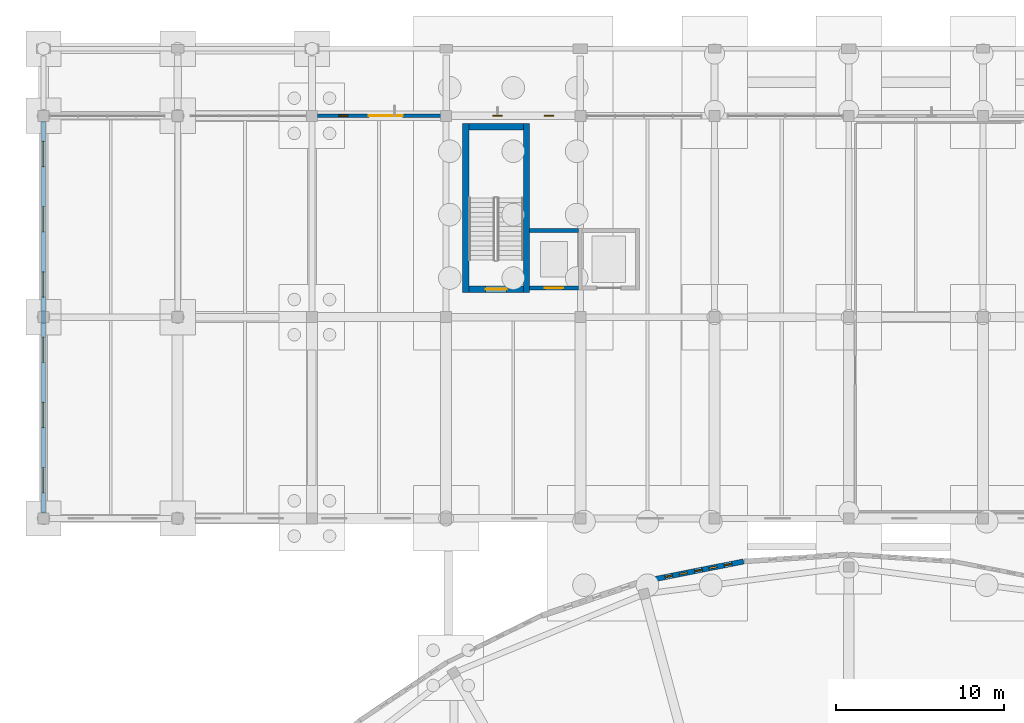
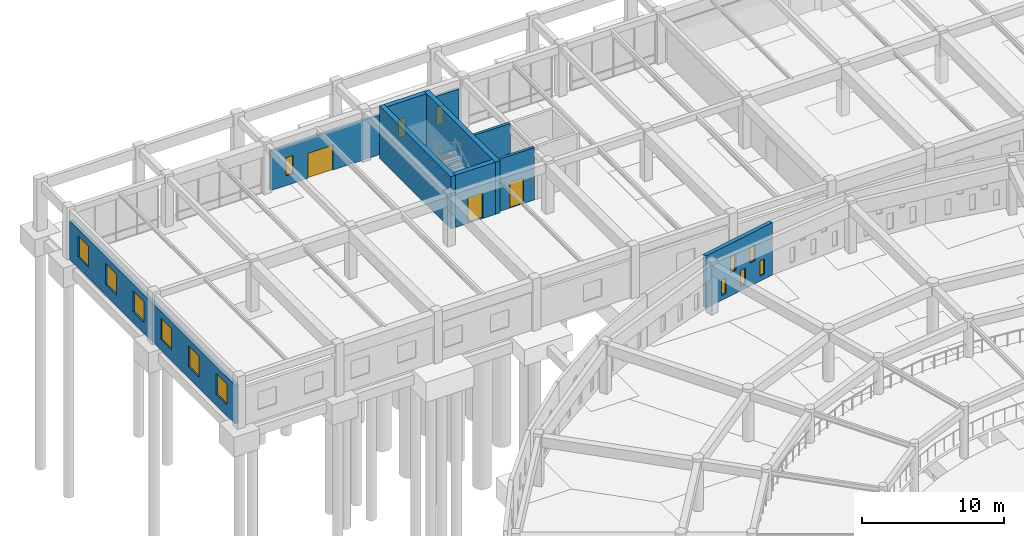
# One storey, part 52 of 84: 14 windows, 9 walls, 3 doors, 17 openings.
"""IFC4 building model written with IfcOpenShell, lengths in metres."""

import ifcopenshell
import ifcopenshell.guid

model = None  # the IFC model being written
_history = None  # IfcOwnerHistory: only IFC2X3 demands one
_inside = {}  # id of a spatial element -> (the spatial element, [elements in it])
_under = {}  # id of a project, library or spatial element -> (it, [spatial elements below it])
_declared = {}  # id of a project -> (the project, [libraries it declares])
_typed = {}  # id of a type object -> (the type object, [elements of that type])
_made_of = {}  # id of a material, layer set ... -> (it, [elements and type objects made of it])


def new_model(schema):
    """Start an empty IFC model of exactly this schema.

    Asked for "IFC4X3", IfcOpenShell would pick the latest addendum, in which some entities
    have other attributes; the version numbers below select the first issue.
    IFC2X3 requires an IfcOwnerHistory on every rooted entity: one is made here for all.
    """
    global model, _history
    if schema == "IFC4X3":
        model = ifcopenshell.file(schema_version=(4, 3, 0, 0))
    else:
        model = ifcopenshell.file(schema=schema)
    _inside.clear()
    _under.clear()
    _declared.clear()
    _typed.clear()
    _made_of.clear()
    _history = None
    if model.schema == "IFC2X3":
        org = make("IfcOrganization", Name="unknown")
        user = make(
            "IfcPersonAndOrganization",
            ThePerson=make("IfcPerson", FamilyName="unknown"),
            TheOrganization=org,
        )
        app = make(
            "IfcApplication",
            ApplicationDeveloper=org,
            Version="unknown",
            ApplicationFullName="unknown",
            ApplicationIdentifier="unknown",
        )
        _history = make(
            "IfcOwnerHistory",
            OwningUser=user,
            OwningApplication=app,
            ChangeAction="ADDED",
            CreationDate=0,
        )
    return model


def make(cls, **values):
    """One entity of the class cls with the attributes given. An attribute that is None is left unset."""
    return model.create_entity(
        cls, **{name: value for name, value in values.items() if value is not None}
    )


def rooted(cls, **values):
    """An entity with a GlobalId (a new one), such as an element, a storey or a relation."""
    return make(cls, GlobalId=ifcopenshell.guid.new(), OwnerHistory=_history, **values)


def si_unit(unit_type, name, prefix=None):
    """IfcSIUnit, for example si_unit("LENGTHUNIT", "METRE", prefix="MILLI")."""
    return make("IfcSIUnit", UnitType=unit_type, Prefix=prefix, Name=name)


def assignment(units):
    """IfcUnitAssignment: the units of a project."""
    return None if units is None else make("IfcUnitAssignment", Units=units)


def point(xyz):
    """IfcCartesianPoint."""
    return None if xyz is None else make("IfcCartesianPoint", Coordinates=xyz)


def direction(xyz):
    """IfcDirection."""
    return None if xyz is None else make("IfcDirection", DirectionRatios=xyz)


def frame(location, z_axis=None, x_axis=None):
    """IfcAxis2Placement3D, a coordinate frame: its origin and axes. An axis left out is left unset."""
    return make(
        "IfcAxis2Placement3D",
        Location=point(location),
        Axis=direction(z_axis),
        RefDirection=direction(x_axis),
    )


def frame_2d(location, x_axis=None):
    """IfcAxis2Placement2D, a coordinate frame in the plane: its origin and x axis."""
    return make(
        "IfcAxis2Placement2D", Location=point(location), RefDirection=direction(x_axis)
    )


def origin():
    """The frame at (0, 0, 0) with its axes left unset."""
    return frame((0.0, 0.0, 0.0))


def place(relative_to, where):
    """IfcLocalPlacement: puts the frame where relative to a parent placement (None: the world)."""
    return make(
        "IfcLocalPlacement", PlacementRelTo=relative_to, RelativePlacement=where
    )


def context(
    kind, dimensions, precision=None, world=None, true_north=None, identifier=None
):
    """IfcGeometricRepresentationContext, for example the 3D "Model" context."""
    return make(
        "IfcGeometricRepresentationContext",
        ContextIdentifier=identifier,
        ContextType=kind,
        CoordinateSpaceDimension=dimensions,
        Precision=precision,
        WorldCoordinateSystem=world,
        TrueNorth=true_north,
    )


def subcontext(parent, identifier, kind, view, scale=None):
    """IfcGeometricRepresentationSubContext, for example "Body" below "Model"."""
    return make(
        "IfcGeometricRepresentationSubContext",
        ContextIdentifier=identifier,
        ContextType=kind,
        ParentContext=parent,
        TargetScale=scale,
        TargetView=view,
    )


def project(units=None, contexts=None):
    """IfcProject with its units and contexts."""
    return rooted(
        "IfcProject",
        Name="project",
        RepresentationContexts=contexts,
        UnitsInContext=assignment(units),
    )


def spatial(cls, under=None, at=None, **own):
    """A site, building, storey or space (cls), placed at a placement, below another one or the project."""
    s = rooted(cls, ObjectPlacement=at, **own)
    if under is not None:
        _under.setdefault(under.id(), (under, []))[1].append(s)
    return s


def profile(cls, at=None, kind="AREA", **sizes):
    """A parametric profile (cls). Its sizes go by their IFC names, for example OverallWidth=200.0."""
    return make(cls, ProfileType=kind, Position=at, **sizes)


def rectangle(**sizes):
    """IfcRectangleProfileDef."""
    return profile("IfcRectangleProfileDef", **sizes)


def extrude(swept, where, along, depth):
    """IfcExtrudedAreaSolid: the profile swept, set in the frame where, extruded along a direction by depth."""
    return make(
        "IfcExtrudedAreaSolid",
        SweptArea=swept,
        Position=where,
        ExtrudedDirection=direction(along),
        Depth=depth,
    )


def shape(context_of_items, identifier, shape_type, items):
    """IfcShapeRepresentation: the items that make up one representation, for example the "Body"."""
    return make(
        "IfcShapeRepresentation",
        ContextOfItems=context_of_items,
        RepresentationIdentifier=identifier,
        RepresentationType=shape_type,
        Items=items,
    )


def material(Name=None, Category=None):
    """IfcMaterial."""
    return make("IfcMaterial", Name=Name, Category=Category)


def layer(
    of_material, thickness, ventilated=None, Name=None, Category=None, Priority=None
):
    """IfcMaterialLayer: one layer of a wall or slab, of a material (None: an air gap)."""
    return make(
        "IfcMaterialLayer",
        Material=of_material,
        LayerThickness=thickness,
        IsVentilated=ventilated,
        Name=Name,
        Category=Category,
        Priority=Priority,
    )


def layer_set(layers, Name=None):
    """IfcMaterialLayerSet."""
    return make("IfcMaterialLayerSet", MaterialLayers=layers, LayerSetName=Name)


def made_of(thing, what):
    """Note that an element or type object is made of a material, layer set ...; save() writes the relation."""
    if what is not None:
        _made_of.setdefault(what.id(), (what, []))[1].append(thing)
    return thing


def type_object(cls, material=None, **own):
    """A type object (cls), such as IfcWallType, which elements share."""
    return made_of(rooted(cls, **own), material)


def element(
    cls,
    number,
    at=None,
    inside=None,
    cuts=None,
    type_object=None,
    material=None,
    context=None,
    identifier="Body",
    shape_type=None,
    held_by="IfcProductDefinitionShape",
    body=None,
    shapes=None,
    **own,
):
    """One element of the class cls, such as IfcWall. Its Tag is "e" and its number.

    at: its placement. inside: the storey or other place that contains it. cuts: it is an
    opening in that element (IfcRelVoidsElement). A single representation is given by context,
    identifier, shape_type and body (its items); several are given by shapes. held_by: the class
    of the entity that holds the representations. save() writes the other relations.
    """
    e = rooted(cls, Tag="e%d" % number, ObjectPlacement=at, **own)
    if body is not None:
        shapes = [shape(context, identifier, shape_type, body)]
    if shapes is not None:
        e.Representation = make(held_by, Representations=shapes)
    if inside is not None:
        _inside.setdefault(inside.id(), (inside, []))[1].append(e)
    if cuts is not None:
        rooted(
            "IfcRelVoidsElement", RelatingBuildingElement=cuts, RelatedOpeningElement=e
        )
    if type_object is not None:
        _typed.setdefault(type_object.id(), (type_object, []))[1].append(e)
    return made_of(e, material)


def fill(opening, filler):
    """IfcRelFillsElement: the door or window that sits in an opening."""
    return rooted(
        "IfcRelFillsElement",
        RelatingOpeningElement=opening,
        RelatedBuildingElement=filler,
    )


def aggregate(whole, parts):
    """IfcRelAggregates: a whole, such as a stair, and the parts it consists of."""
    return rooted("IfcRelAggregates", RelatingObject=whole, RelatedObjects=parts)


def save(model, path):
    """Write the relations noted so far, then the file.

    IfcRelAggregates (storeys below a building ...), IfcRelContainedInSpatialStructure (elements
    in a storey), IfcRelDefinesByType, IfcRelAssociatesMaterial and IfcRelDeclares: one each for
    every whole, place, type object, material and project.
    """
    for whole, parts in _under.values():
        aggregate(whole, parts)
    for where, things in _inside.values():
        rooted(
            "IfcRelContainedInSpatialStructure",
            RelatedElements=things,
            RelatingStructure=where,
        )
    for kind, things in _typed.values():
        rooted("IfcRelDefinesByType", RelatedObjects=things, RelatingType=kind)
    for what, things in _made_of.values():
        rooted("IfcRelAssociatesMaterial", RelatedObjects=things, RelatingMaterial=what)
    for by, libraries in _declared.values():
        rooted("IfcRelDeclares", RelatingContext=by, RelatedDefinitions=libraries)
    model.write(path)


model = new_model("IFC4")

# Units and contexts
model_context = context("Model", 3, precision=1e-05, world=origin(), true_north=direction((0.0, 1.0)))
body_context = subcontext(model_context, "Body", "Model", "MODEL_VIEW")
ifc_project = project(units=[si_unit("LENGTHUNIT", "METRE"), si_unit("AREAUNIT", "SQUARE_METRE"), si_unit("VOLUMEUNIT", "CUBIC_METRE"), si_unit("PLANEANGLEUNIT", "RADIAN"), si_unit("MASSUNIT", "GRAM", prefix="KILO")], contexts=[model_context])

# Site, building, storey
site_placement = place(None, origin())
site = spatial("IfcSite", under=ifc_project, at=site_placement, CompositionType="ELEMENT")
building_placement = place(site_placement, origin())
building = spatial("IfcBuilding", under=site, at=building_placement, Name="Larkveld Mobility Hub", CompositionType="ELEMENT")
storey_placement = place(building_placement, origin())
storey = spatial("IfcBuildingStorey", under=building, at=storey_placement, Name="L00", CompositionType="ELEMENT", Elevation=0.0)

# Wall, openings, windows
ifc_material_1 = material(Name="Fired clay brick 25 MPa", Category="masonry")
ifc_layer_1 = layer(ifc_material_1, 0.31005859375, Name="Fired clay brick 25 MPa", Category="masonry")
ifc_layer_set_1 = layer_set([ifc_layer_1], Name="Fired clay brick 25 MPa")
wall_type_1 = type_object("IfcWallType", Name="WL-BRK-310", PredefinedType="USERDEFINED", material=ifc_layer_set_1)
wall_1_placement = place(storey_placement, frame((41.72998046875, 95.43603515625, 0.0), z_axis=(0.0, 0.0, 1.0), x_axis=(-0.980799338869, -0.195019632022, 0.0)))
wall_1 = element("IfcWall", 1, at=wall_1_placement, inside=storey, type_object=wall_type_1, Name="Drum Woven Open-Bond Brick Chord L00-0012", ObjectType="PERFORATED BRICK SCREEN", PredefinedType="USERDEFINED", context=body_context, shape_type="SweptSolid", body=[
    extrude(rectangle(XDim=6.209228515625, YDim=0.31005859375, at=frame_2d((3.1044921875, 0.0))), origin(), (0.0, 0.0, 1.0), 4.5),
])
opening_1_placement = place(wall_1_placement, frame((0.719970703125, 0.0, 0.419921875)))
opening_1 = element("IfcOpeningElement", 2, at=opening_1_placement, cuts=wall_1, Name="Opening W02", PredefinedType="OPENING", context=body_context, shape_type="SweptSolid", body=[
    extrude(rectangle(XDim=0.449951171875, YDim=1.320068359375, at=frame_2d((0.22509765625, 0.66015625))), frame((0.0, 0.1650390625, 0.0), z_axis=(0.0, -1.0, 0.0), x_axis=(1.0, 0.0, 0.0)), (0.0, 0.0, 1.0), 0.330078125),
])
opening_2_placement = place(wall_1_placement, frame((2.52001953125, 0.0, 0.419921875)))
opening_2 = element("IfcOpeningElement", 3, at=opening_2_placement, cuts=wall_1, Name="Opening W02", PredefinedType="OPENING", context=body_context, shape_type="SweptSolid", body=[
    extrude(rectangle(XDim=0.449951171875, YDim=1.320068359375, at=frame_2d((0.22509765625, 0.66015625))), frame((0.0, 0.1650390625, 0.0), z_axis=(0.0, -1.0, 0.0), x_axis=(1.0, 0.0, 0.0)), (0.0, 0.0, 1.0), 0.330078125),
])
opening_3_placement = place(wall_1_placement, frame((4.320068359375, 0.0, 0.419921875)))
opening_3 = element("IfcOpeningElement", 4, at=opening_3_placement, cuts=wall_1, Name="Opening W02", PredefinedType="OPENING", context=body_context, shape_type="SweptSolid", body=[
    extrude(rectangle(XDim=0.449951171875, YDim=1.320068359375, at=frame_2d((0.22509765625, 0.66015625))), frame((0.0, 0.1650390625, 0.0), z_axis=(0.0, -1.0, 0.0), x_axis=(1.0, 0.0, 0.0)), (0.0, 0.0, 1.0), 0.330078125),
])
opening_4_placement = place(wall_1_placement, frame((1.6201171875, 0.0, 1.97998046875)))
opening_4 = element("IfcOpeningElement", 5, at=opening_4_placement, cuts=wall_1, Name="Opening W03", PredefinedType="OPENING", context=body_context, shape_type="SweptSolid", body=[
    extrude(rectangle(XDim=0.47998046875, YDim=1.360107421875, at=frame_2d((0.239990234375, 0.68017578125))), frame((0.0, 0.1650390625, 0.0), z_axis=(0.0, -1.0, 0.0), x_axis=(1.0, 0.0, 0.0)), (0.0, 0.0, 1.0), 0.330078125),
])
opening_5_placement = place(wall_1_placement, frame((3.419921875, 0.0, 1.97998046875)))
opening_5 = element("IfcOpeningElement", 6, at=opening_5_placement, cuts=wall_1, Name="Opening W03", PredefinedType="OPENING", context=body_context, shape_type="SweptSolid", body=[
    extrude(rectangle(XDim=0.47998046875, YDim=1.360107421875, at=frame_2d((0.239990234375, 0.68017578125))), frame((0.0, 0.1650390625, 0.0), z_axis=(0.0, -1.0, 0.0), x_axis=(1.0, 0.0, 0.0)), (0.0, 0.0, 1.0), 0.330078125),
])
ifc_material_2 = material(Name="Extruded aluminium ventilation grille", Category="aluminium")
window_type_1 = type_object("IfcWindowType", Name="WN-VENT-02", PartitioningType="SINGLE_PANEL", PredefinedType="WINDOW", material=ifc_material_2)
window_1_placement = place(opening_1_placement, origin())
window_1 = element("IfcWindow", 7, at=window_1_placement, inside=storey, type_object=window_type_1, Name="Window W02 (0056)", OverallHeight=1.320068359375, OverallWidth=0.449951171875, PartitioningType="SINGLE_PANEL", PredefinedType="WINDOW", context=body_context, shape_type="SweptSolid", body=[
    extrude(rectangle(XDim=0.449951171875, YDim=1.320068359375, at=frame_2d((0.22509765625, 0.66015625))), frame((0.0, 0.030029296875, 0.0), z_axis=(0.0, -1.0, 0.0), x_axis=(1.0, 0.0, 0.0)), (0.0, 0.0, 1.0), 0.06005859375),
])
fill(opening_1, window_1)
window_2_placement = place(opening_2_placement, origin())
window_2 = element("IfcWindow", 8, at=window_2_placement, inside=storey, type_object=window_type_1, Name="Window W02 (0057)", OverallHeight=1.320068359375, OverallWidth=0.449951171875, PartitioningType="SINGLE_PANEL", PredefinedType="WINDOW", context=body_context, shape_type="SweptSolid", body=[
    extrude(rectangle(XDim=0.449951171875, YDim=1.320068359375, at=frame_2d((0.22509765625, 0.66015625))), frame((0.0, 0.030029296875, 0.0), z_axis=(0.0, -1.0, 0.0), x_axis=(1.0, 0.0, 0.0)), (0.0, 0.0, 1.0), 0.06005859375),
])
fill(opening_2, window_2)
window_3_placement = place(opening_3_placement, origin())
window_3 = element("IfcWindow", 9, at=window_3_placement, inside=storey, type_object=window_type_1, Name="Window W02 (0058)", OverallHeight=1.320068359375, OverallWidth=0.449951171875, PartitioningType="SINGLE_PANEL", PredefinedType="WINDOW", context=body_context, shape_type="SweptSolid", body=[
    extrude(rectangle(XDim=0.449951171875, YDim=1.320068359375, at=frame_2d((0.22509765625, 0.66015625))), frame((0.0, 0.030029296875, 0.0), z_axis=(0.0, -1.0, 0.0), x_axis=(1.0, 0.0, 0.0)), (0.0, 0.0, 1.0), 0.06005859375),
])
fill(opening_3, window_3)
window_type_2 = type_object("IfcWindowType", Name="WN-VENT-03", PartitioningType="SINGLE_PANEL", PredefinedType="WINDOW", material=ifc_material_2)
window_4_placement = place(opening_4_placement, origin())
window_4 = element("IfcWindow", 10, at=window_4_placement, inside=storey, type_object=window_type_2, Name="Window W03 (0059)", OverallHeight=1.360107421875, OverallWidth=0.47998046875, PartitioningType="SINGLE_PANEL", PredefinedType="WINDOW", context=body_context, shape_type="SweptSolid", body=[
    extrude(rectangle(XDim=0.47998046875, YDim=1.360107421875, at=frame_2d((0.239990234375, 0.68017578125))), frame((0.0, 0.030029296875, 0.0), z_axis=(0.0, -1.0, 0.0), x_axis=(1.0, 0.0, 0.0)), (0.0, 0.0, 1.0), 0.06005859375),
])
fill(opening_4, window_4)
window_5_placement = place(opening_5_placement, origin())
window_5 = element("IfcWindow", 11, at=window_5_placement, inside=storey, type_object=window_type_2, Name="Window W03 (0060)", OverallHeight=1.360107421875, OverallWidth=0.47998046875, PartitioningType="SINGLE_PANEL", PredefinedType="WINDOW", context=body_context, shape_type="SweptSolid", body=[
    extrude(rectangle(XDim=0.47998046875, YDim=1.360107421875, at=frame_2d((0.239990234375, 0.68017578125))), frame((0.0, 0.030029296875, 0.0), z_axis=(0.0, -1.0, 0.0), x_axis=(1.0, 0.0, 0.0)), (0.0, 0.0, 1.0), 0.06005859375),
])
fill(opening_5, window_5)

# Wall, openings, door, windows
ifc_material_3 = material(Name="Glazed architectural ceramic masonry 20 MPa", Category="masonry")
ifc_layer_2 = layer(ifc_material_3, 0.2099609375, Name="Glazed architectural ceramic masonry 20 MPa", Category="masonry")
ifc_layer_set_2 = layer_set([ifc_layer_2], Name="Glazed architectural ceramic masonry 20 MPa")
wall_type_2 = type_object("IfcWallType", Name="WL-COB-210", PredefinedType="USERDEFINED", material=ifc_layer_set_2)
wall_2_placement = place(storey_placement, frame((31.6650390625, 122.0, 0.0), z_axis=(0.0, 0.0, 1.0), x_axis=(-1.0, 0.0, 0.0)))
wall_2 = element("IfcWall", 12, at=wall_2_placement, inside=storey, type_object=wall_type_2, Name="Bicycle Hall Ceramic Cobogo Screen L00-0181", ObjectType="CERAMIC COBOGO SCREEN", PredefinedType="USERDEFINED", context=body_context, shape_type="SweptSolid", body=[
    extrude(rectangle(XDim=15.330078125, YDim=0.2099609375, at=frame_2d((7.6650390625, 0.0))), origin(), (0.0, 0.0, 1.0), 3.39501953125),
])
opening_6_placement = place(wall_2_placement, frame((10.264892578125, 0.0, 0.0)))
opening_6 = element("IfcOpeningElement", 13, at=opening_6_placement, cuts=wall_2, Name="Opening ED02", PredefinedType="OPENING", context=body_context, shape_type="SweptSolid", body=[
    extrude(rectangle(XDim=2.0, YDim=2.14990234375, at=frame_2d((1.0, 1.074951171875))), frame((0.0, 0.114990234375, 0.0), z_axis=(0.0, -1.0, 0.0), x_axis=(1.0, 0.0, 0.0)), (0.0, 0.0, 1.0), 0.22998046875),
])
opening_7_placement = place(wall_2_placement, frame((1.2529296875, 0.0, 0.85009765625)))
opening_7 = element("IfcOpeningElement", 14, at=opening_7_placement, cuts=wall_2, Name="Opening W04", PredefinedType="OPENING", context=body_context, shape_type="SweptSolid", body=[
    extrude(rectangle(XDim=0.56005859375, YDim=1.550048828125, at=frame_2d((0.280029296875, 0.77490234375))), frame((0.0, 0.114990234375, 0.0), z_axis=(0.0, -1.0, 0.0), x_axis=(1.0, 0.0, 0.0)), (0.0, 0.0, 1.0), 0.22998046875),
])
opening_8_placement = place(wall_2_placement, frame((4.319091796875, 0.0, 0.85009765625)))
opening_8 = element("IfcOpeningElement", 15, at=opening_8_placement, cuts=wall_2, Name="Opening W04", PredefinedType="OPENING", context=body_context, shape_type="SweptSolid", body=[
    extrude(rectangle(XDim=0.56005859375, YDim=1.550048828125, at=frame_2d((0.280029296875, 0.77490234375))), frame((0.0, 0.114990234375, 0.0), z_axis=(0.0, -1.0, 0.0), x_axis=(1.0, 0.0, 0.0)), (0.0, 0.0, 1.0), 0.22998046875),
])
opening_9_placement = place(wall_2_placement, frame((13.51708984375, 0.0, 0.85009765625)))
opening_9 = element("IfcOpeningElement", 16, at=opening_9_placement, cuts=wall_2, Name="Opening W04", PredefinedType="OPENING", context=body_context, shape_type="SweptSolid", body=[
    extrude(rectangle(XDim=0.56005859375, YDim=1.550048828125, at=frame_2d((0.280029296875, 0.77490234375))), frame((0.0, 0.114990234375, 0.0), z_axis=(0.0, -1.0, 0.0), x_axis=(1.0, 0.0, 0.0)), (0.0, 0.0, 1.0), 0.22998046875),
])
ifc_material_4 = material(Name="Anodised aluminium glazed entrance door", Category="aluminium")
door_type_1 = type_object("IfcDoorType", Name="DR-EXT-DB20", OperationType="DOUBLE_DOOR_SINGLE_SWING", PredefinedType="DOOR", material=ifc_material_4)
door_1_placement = place(opening_6_placement, origin())
door_1 = element("IfcDoor", 17, at=door_1_placement, inside=storey, type_object=door_type_1, Name="North Colonnade Cycle Hall Entrance EDR-L00-012", OperationType="DOUBLE_DOOR_SINGLE_SWING", OverallHeight=2.14990234375, OverallWidth=2.0, PredefinedType="DOOR", context=body_context, shape_type="SweptSolid", body=[
    extrude(rectangle(XDim=2.0, YDim=2.14990234375, at=frame_2d((1.0, 1.074951171875))), frame((0.0, 0.02490234375, 0.0), z_axis=(0.0, -1.0, 0.0), x_axis=(1.0, 0.0, 0.0)), (0.0, 0.0, 1.0), 0.050048828125),
])
fill(opening_6, door_1)
ifc_material_5 = material(Name="Extruded aluminium cobogo vent frame", Category="aluminium")
window_type_3 = type_object("IfcWindowType", Name="WN-VENT-04", PartitioningType="SINGLE_PANEL", PredefinedType="WINDOW", material=ifc_material_5)
window_6_placement = place(opening_7_placement, origin())
window_6 = element("IfcWindow", 18, at=window_6_placement, inside=storey, type_object=window_type_3, Name="Window W04 (0837)", OverallHeight=1.550048828125, OverallWidth=0.56005859375, PartitioningType="SINGLE_PANEL", PredefinedType="WINDOW", context=body_context, shape_type="SweptSolid", body=[
    extrude(rectangle(XDim=0.56005859375, YDim=1.550048828125, at=frame_2d((0.280029296875, 0.77490234375))), frame((0.0, 0.030029296875, 0.0), z_axis=(0.0, -1.0, 0.0), x_axis=(1.0, 0.0, 0.0)), (0.0, 0.0, 1.0), 0.06005859375),
])
fill(opening_7, window_6)
window_7_placement = place(opening_8_placement, origin())
window_7 = element("IfcWindow", 19, at=window_7_placement, inside=storey, type_object=window_type_3, Name="Window W04 (0838)", OverallHeight=1.550048828125, OverallWidth=0.56005859375, PartitioningType="SINGLE_PANEL", PredefinedType="WINDOW", context=body_context, shape_type="SweptSolid", body=[
    extrude(rectangle(XDim=0.56005859375, YDim=1.550048828125, at=frame_2d((0.280029296875, 0.77490234375))), frame((0.0, 0.030029296875, 0.0), z_axis=(0.0, -1.0, 0.0), x_axis=(1.0, 0.0, 0.0)), (0.0, 0.0, 1.0), 0.06005859375),
])
fill(opening_8, window_7)
window_8_placement = place(opening_9_placement, origin())
window_8 = element("IfcWindow", 20, at=window_8_placement, inside=storey, type_object=window_type_3, Name="Window W04 (0839)", OverallHeight=1.550048828125, OverallWidth=0.56005859375, PartitioningType="SINGLE_PANEL", PredefinedType="WINDOW", context=body_context, shape_type="SweptSolid", body=[
    extrude(rectangle(XDim=0.56005859375, YDim=1.550048828125, at=frame_2d((0.280029296875, 0.77490234375))), frame((0.0, 0.030029296875, 0.0), z_axis=(0.0, -1.0, 0.0), x_axis=(1.0, 0.0, 0.0)), (0.0, 0.0, 1.0), 0.06005859375),
])
fill(opening_9, window_8)

# Wall, openings, windows
ifc_material_6 = material(Name="Precast concrete C50/60", Category="concrete")
ifc_layer_3 = layer(ifc_material_6, 0.27001953125, Name="Precast concrete C50/60", Category="concrete")
ifc_layer_set_3 = layer_set([ifc_layer_3], Name="Precast concrete C50/60")
wall_type_3 = type_object("IfcWallType", Name="WL-EXT-270", PredefinedType="SOLIDWALL", material=ifc_layer_set_3)
wall_3_placement = place(storey_placement, frame((0.0, 121.6650390625, 0.0), z_axis=(0.0, 0.0, 1.0), x_axis=(0.0, -1.0, 0.0)))
wall_3 = element("IfcWall", 21, at=wall_3_placement, inside=storey, type_object=wall_type_3, Name="Bicycle Hall West End Wall L00-0185", PredefinedType="SOLIDWALL", context=body_context, shape_type="SweptSolid", body=[
    extrude(rectangle(XDim=23.330078125, YDim=0.27001953125, at=frame_2d((11.6650390625, 0.0))), origin(), (0.0, 0.0, 1.0), 3.344970703125),
])
opening_10_placement = place(wall_3_placement, frame((1.194091796875, 0.0, 0.949951171875)))
opening_10 = element("IfcOpeningElement", 22, at=opening_10_placement, cuts=wall_3, Name="Opening W11", PredefinedType="OPENING", context=body_context, shape_type="SweptSolid", body=[
    extrude(rectangle(XDim=1.5, YDim=1.800048828125, at=frame_2d((0.75, 0.89990234375))), frame((0.0, 0.14501953125, 0.0), z_axis=(0.0, -1.0, 0.0), x_axis=(1.0, 0.0, 0.0)), (0.0, 0.0, 1.0), 0.2900390625),
])
opening_11_placement = place(wall_3_placement, frame((5.0830078125, 0.0, 0.949951171875)))
opening_11 = element("IfcOpeningElement", 23, at=opening_11_placement, cuts=wall_3, Name="Opening W11", PredefinedType="OPENING", context=body_context, shape_type="SweptSolid", body=[
    extrude(rectangle(XDim=1.5, YDim=1.800048828125, at=frame_2d((0.75, 0.89990234375))), frame((0.0, 0.14501953125, 0.0), z_axis=(0.0, -1.0, 0.0), x_axis=(1.0, 0.0, 0.0)), (0.0, 0.0, 1.0), 0.2900390625),
])
opening_12_placement = place(wall_3_placement, frame((8.970947265625, 0.0, 0.949951171875)))
opening_12 = element("IfcOpeningElement", 24, at=opening_12_placement, cuts=wall_3, Name="Opening W11", PredefinedType="OPENING", context=body_context, shape_type="SweptSolid", body=[
    extrude(rectangle(XDim=1.5, YDim=1.800048828125, at=frame_2d((0.75, 0.89990234375))), frame((0.0, 0.14501953125, 0.0), z_axis=(0.0, -1.0, 0.0), x_axis=(1.0, 0.0, 0.0)), (0.0, 0.0, 1.0), 0.2900390625),
])
opening_13_placement = place(wall_3_placement, frame((12.85888671875, 0.0, 0.949951171875)))
opening_13 = element("IfcOpeningElement", 25, at=opening_13_placement, cuts=wall_3, Name="Opening W11", PredefinedType="OPENING", context=body_context, shape_type="SweptSolid", body=[
    extrude(rectangle(XDim=1.5, YDim=1.800048828125, at=frame_2d((0.75, 0.89990234375))), frame((0.0, 0.14501953125, 0.0), z_axis=(0.0, -1.0, 0.0), x_axis=(1.0, 0.0, 0.0)), (0.0, 0.0, 1.0), 0.2900390625),
])
opening_14_placement = place(wall_3_placement, frame((16.748046875, 0.0, 0.949951171875)))
opening_14 = element("IfcOpeningElement", 26, at=opening_14_placement, cuts=wall_3, Name="Opening W11", PredefinedType="OPENING", context=body_context, shape_type="SweptSolid", body=[
    extrude(rectangle(XDim=1.5, YDim=1.800048828125, at=frame_2d((0.75, 0.89990234375))), frame((0.0, 0.14501953125, 0.0), z_axis=(0.0, -1.0, 0.0), x_axis=(1.0, 0.0, 0.0)), (0.0, 0.0, 1.0), 0.2900390625),
])
opening_15_placement = place(wall_3_placement, frame((20.635986328125, 0.0, 0.949951171875)))
opening_15 = element("IfcOpeningElement", 27, at=opening_15_placement, cuts=wall_3, Name="Opening W11", PredefinedType="OPENING", context=body_context, shape_type="SweptSolid", body=[
    extrude(rectangle(XDim=1.5, YDim=1.800048828125, at=frame_2d((0.75, 0.89990234375))), frame((0.0, 0.14501953125, 0.0), z_axis=(0.0, -1.0, 0.0), x_axis=(1.0, 0.0, 0.0)), (0.0, 0.0, 1.0), 0.2900390625),
])
ifc_material_7 = material(Name="Low-E double glazing in aluminium frame", Category="aluminium")
window_type_4 = type_object("IfcWindowType", Name="WN-ALU-11", PartitioningType="SINGLE_PANEL", PredefinedType="WINDOW", material=ifc_material_7)
window_9_placement = place(opening_10_placement, origin())
window_9 = element("IfcWindow", 28, at=window_9_placement, inside=storey, type_object=window_type_4, Name="Window W11 (0863)", OverallHeight=1.800048828125, OverallWidth=1.5, PartitioningType="SINGLE_PANEL", PredefinedType="WINDOW", context=body_context, shape_type="SweptSolid", body=[
    extrude(rectangle(XDim=1.5, YDim=1.800048828125, at=frame_2d((0.75, 0.89990234375))), frame((0.0, 0.030029296875, 0.0), z_axis=(0.0, -1.0, 0.0), x_axis=(1.0, 0.0, 0.0)), (0.0, 0.0, 1.0), 0.06005859375),
])
fill(opening_10, window_9)
window_10_placement = place(opening_11_placement, origin())
window_10 = element("IfcWindow", 29, at=window_10_placement, inside=storey, type_object=window_type_4, Name="Window W11 (0864)", OverallHeight=1.800048828125, OverallWidth=1.5, PartitioningType="SINGLE_PANEL", PredefinedType="WINDOW", context=body_context, shape_type="SweptSolid", body=[
    extrude(rectangle(XDim=1.5, YDim=1.800048828125, at=frame_2d((0.75, 0.89990234375))), frame((0.0, 0.030029296875, 0.0), z_axis=(0.0, -1.0, 0.0), x_axis=(1.0, 0.0, 0.0)), (0.0, 0.0, 1.0), 0.06005859375),
])
fill(opening_11, window_10)
window_11_placement = place(opening_12_placement, origin())
window_11 = element("IfcWindow", 30, at=window_11_placement, inside=storey, type_object=window_type_4, Name="Window W11 (0865)", OverallHeight=1.800048828125, OverallWidth=1.5, PartitioningType="SINGLE_PANEL", PredefinedType="WINDOW", context=body_context, shape_type="SweptSolid", body=[
    extrude(rectangle(XDim=1.5, YDim=1.800048828125, at=frame_2d((0.75, 0.89990234375))), frame((0.0, 0.030029296875, 0.0), z_axis=(0.0, -1.0, 0.0), x_axis=(1.0, 0.0, 0.0)), (0.0, 0.0, 1.0), 0.06005859375),
])
fill(opening_12, window_11)
window_12_placement = place(opening_13_placement, origin())
window_12 = element("IfcWindow", 31, at=window_12_placement, inside=storey, type_object=window_type_4, Name="Window W11 (0866)", OverallHeight=1.800048828125, OverallWidth=1.5, PartitioningType="SINGLE_PANEL", PredefinedType="WINDOW", context=body_context, shape_type="SweptSolid", body=[
    extrude(rectangle(XDim=1.5, YDim=1.800048828125, at=frame_2d((0.75, 0.89990234375))), frame((0.0, 0.030029296875, 0.0), z_axis=(0.0, -1.0, 0.0), x_axis=(1.0, 0.0, 0.0)), (0.0, 0.0, 1.0), 0.06005859375),
])
fill(opening_13, window_12)
window_13_placement = place(opening_14_placement, origin())
window_13 = element("IfcWindow", 32, at=window_13_placement, inside=storey, type_object=window_type_4, Name="Window W11 (0867)", OverallHeight=1.800048828125, OverallWidth=1.5, PartitioningType="SINGLE_PANEL", PredefinedType="WINDOW", context=body_context, shape_type="SweptSolid", body=[
    extrude(rectangle(XDim=1.5, YDim=1.800048828125, at=frame_2d((0.75, 0.89990234375))), frame((0.0, 0.030029296875, 0.0), z_axis=(0.0, -1.0, 0.0), x_axis=(1.0, 0.0, 0.0)), (0.0, 0.0, 1.0), 0.06005859375),
])
fill(opening_14, window_13)
window_14_placement = place(opening_15_placement, origin())
window_14 = element("IfcWindow", 33, at=window_14_placement, inside=storey, type_object=window_type_4, Name="Window W11 (0868)", OverallHeight=1.800048828125, OverallWidth=1.5, PartitioningType="SINGLE_PANEL", PredefinedType="WINDOW", context=body_context, shape_type="SweptSolid", body=[
    extrude(rectangle(XDim=1.5, YDim=1.800048828125, at=frame_2d((0.75, 0.89990234375))), frame((0.0, 0.030029296875, 0.0), z_axis=(0.0, -1.0, 0.0), x_axis=(1.0, 0.0, 0.0)), (0.0, 0.0, 1.0), 0.06005859375),
])
fill(opening_15, window_14)

# Wall, opening, door
ifc_material_8 = material(Name="Concrete C40/50", Category="concrete")
ifc_layer_4 = layer(ifc_material_8, 0.219970703125, Name="Concrete C40/50", Category="concrete")
ifc_layer_set_4 = layer_set([ifc_layer_4], Name="Concrete C40/50")
wall_type_4 = type_object("IfcWallType", Name="WL-SHF-220", PredefinedType="SHEAR", material=ifc_layer_set_4)
wall_4_placement = place(storey_placement, frame((31.8798828125, 111.739990234375, 0.0), z_axis=(0.0, 0.0, 1.0), x_axis=(-1.0, 0.0, 0.0)))
wall_4 = element("IfcWall", 34, at=wall_4_placement, inside=storey, type_object=wall_type_4, Name="Lift PL5 Shaft Wall L00-S", PredefinedType="SHEAR", context=body_context, shape_type="SweptSolid", body=[
    extrude(rectangle(XDim=2.89990234375, YDim=0.219970703125, at=frame_2d((1.449951171875, 0.0))), origin(), (0.0, 0.0, 1.0), 4.5),
])
opening_16_placement = place(wall_4_placement, frame((0.89990234375, 0.0, 0.0)))
opening_16 = element("IfcOpeningElement", 35, at=opening_16_placement, cuts=wall_4, Name="Opening LD01", PredefinedType="OPENING", context=body_context, shape_type="SweptSolid", body=[
    extrude(rectangle(XDim=1.10009765625, YDim=2.199951171875, at=frame_2d((0.550048828125, 1.10009765625))), frame((0.0, 0.1201171875, 0.0), z_axis=(0.0, -1.0, 0.0), x_axis=(1.0, 0.0, 0.0)), (0.0, 0.0, 1.0), 0.239990234375),
])
ifc_material_9 = material(Name="Brushed stainless Steel S355JR sliding landing door", Category="steel")
door_type_2 = type_object("IfcDoorType", Name="DR-LD-110", OperationType="DOUBLE_DOOR_SLIDING", PredefinedType="DOOR", material=ifc_material_9)
door_2_placement = place(opening_16_placement, origin())
door_2 = element("IfcDoor", 36, at=door_2_placement, inside=storey, type_object=door_type_2, Name="Lift landing door PL5-L00", OperationType="DOUBLE_DOOR_SLIDING", OverallHeight=2.199951171875, OverallWidth=1.10009765625, PredefinedType="DOOR", context=body_context, shape_type="SweptSolid", body=[
    extrude(rectangle(XDim=1.10009765625, YDim=2.199951171875, at=frame_2d((0.550048828125, 1.10009765625))), frame((0.0, 0.02490234375, 0.0), z_axis=(0.0, -1.0, 0.0), x_axis=(1.0, 0.0, 0.0)), (0.0, 0.0, 1.0), 0.050048828125),
])
fill(opening_16, door_2)

# Walls
wall_5_placement = place(storey_placement, frame((28.97998046875, 115.159912109375, 0.0), z_axis=(0.0, 0.0, 1.0), x_axis=(1.0, 0.0, 0.0)))
element("IfcWall", 37, at=wall_5_placement, inside=storey, type_object=wall_type_4, Name="Lift PL5 Shaft Wall L00-N", PredefinedType="SHEAR", context=body_context, shape_type="SweptSolid", body=[
    extrude(rectangle(XDim=2.89990234375, YDim=0.219970703125, at=frame_2d((1.449951171875, 0.0))), origin(), (0.0, 0.0, 1.0), 4.5),
])
ifc_layer_5 = layer(ifc_material_8, 0.3798828125, Name="Concrete C40/50", Category="concrete")
ifc_layer_set_5 = layer_set([ifc_layer_5], Name="Concrete C40/50")
wall_type_5 = type_object("IfcWallType", Name="WL-SHR-06", PredefinedType="SHEAR", material=ifc_layer_set_5)
for number, where, z_axis, x_axis, name in (
    (38, (25.159912109375, 111.469970703125, 0.0), (0.0, 0.0, 1.0), (0.0, 1.0, 0.0), "Core C6 Stair Shear Wall L00-W"),
    (39, (28.7900390625, 121.530029296875, 0.0), (0.0, 0.0, 1.0), (0.0, -1.0, 0.0), "Core C6 Stair Shear Wall L00-E"),
):
    element("IfcWall", number, at=place(storey_placement, frame(where, z_axis=z_axis, x_axis=x_axis)), inside=storey, type_object=wall_type_5, Name=name, PredefinedType="SHEAR", context=body_context, shape_type="SweptSolid", body=[
        extrude(rectangle(XDim=10.06005859375, YDim=0.3798828125, at=frame_2d((5.030029296875, 0.0))), origin(), (0.0, 0.0, 1.0), 4.5),
    ])

# Wall, opening, door
wall_6_placement = place(storey_placement, frame((28.60009765625, 111.659912109375, 0.0), z_axis=(0.0, 0.0, 1.0), x_axis=(-1.0, 0.0, 0.0)))
wall_6 = element("IfcWall", 40, at=wall_6_placement, inside=storey, type_object=wall_type_5, Name="Core C6 Stair Shear Wall L00-S", PredefinedType="SHEAR", context=body_context, shape_type="SweptSolid", body=[
    extrude(rectangle(XDim=3.25, YDim=0.3798828125, at=frame_2d((1.625, 0.0))), origin(), (0.0, 0.0, 1.0), 4.5),
])
opening_17_placement = place(wall_6_placement, frame((1.0, 0.0, 0.0)))
opening_17 = element("IfcOpeningElement", 41, at=opening_17_placement, cuts=wall_6, Name="Opening ED08", PredefinedType="OPENING", context=body_context, shape_type="SweptSolid", body=[
    extrude(rectangle(XDim=1.25, YDim=2.199951171875, at=frame_2d((0.625, 1.10009765625))), frame((0.0, 0.199951171875, 0.0), z_axis=(0.0, -1.0, 0.0), x_axis=(1.0, 0.0, 0.0)), (0.0, 0.0, 1.0), 0.39990234375),
])
ifc_material_10 = material(Name="Galvanised steel final exit door", Category="steel")
door_type_3 = type_object("IfcDoorType", Name="DR-EXT-ESC12", OperationType="NOTDEFINED", PredefinedType="DOOR", material=ifc_material_10)
door_3_placement = place(opening_17_placement, origin())
door_3 = element("IfcDoor", 42, at=door_3_placement, inside=storey, type_object=door_type_3, Name="Stair ST6 Fire Door L00", OperationType="SINGLE_SWING_RIGHT", OverallHeight=2.199951171875, OverallWidth=1.25, PredefinedType="DOOR", context=body_context, shape_type="SweptSolid", body=[
    extrude(rectangle(XDim=1.25, YDim=2.199951171875, at=frame_2d((0.625, 1.10009765625))), frame((0.0, 0.02490234375, 0.0), z_axis=(0.0, -1.0, 0.0), x_axis=(1.0, 0.0, 0.0)), (0.0, 0.0, 1.0), 0.050048828125),
])
fill(opening_17, door_3)

# Wall
wall_7_placement = place(storey_placement, frame((25.35009765625, 121.340087890625, 0.0), z_axis=(0.0, 0.0, 1.0), x_axis=(1.0, 0.0, 0.0)))
element("IfcWall", 43, at=wall_7_placement, inside=storey, type_object=wall_type_5, Name="Core C6 Stair Shear Wall L00-N", PredefinedType="SHEAR", context=body_context, shape_type="SweptSolid", body=[
    extrude(rectangle(XDim=3.25, YDim=0.3798828125, at=frame_2d((1.625, 0.0))), origin(), (0.0, 0.0, 1.0), 4.5),
])

save(model, "model.ifc")
